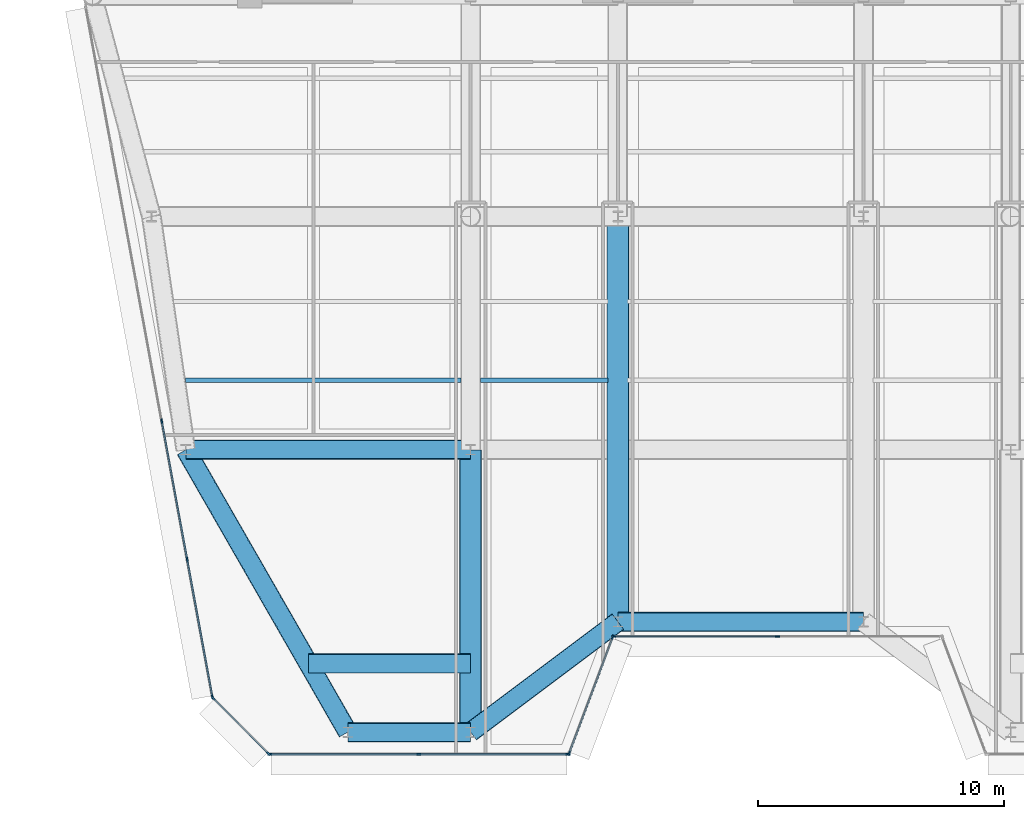
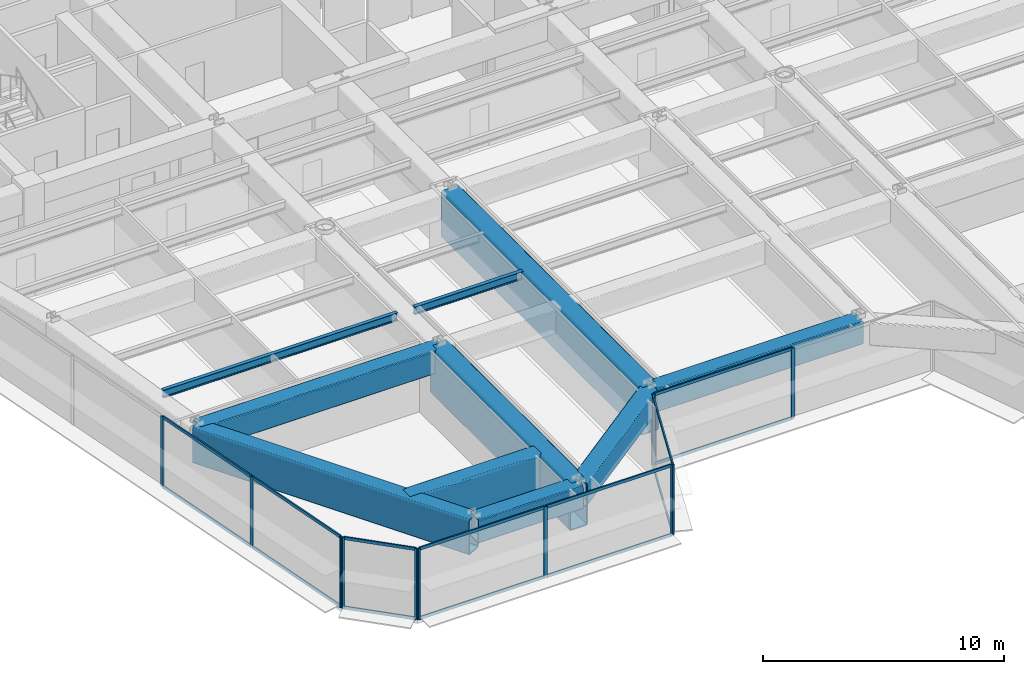
# One storey, part 2 of 16: 26 members, 10 beams, 5 elements without a shape of their own.
"""IFC4 building model written with IfcOpenShell, lengths in metres."""

from ifc_helpers import new_model, si_unit, direction, frame, origin, origin_2d, place, context, subcontext, project, spatial, rectangle, hollow_rectangle, i_section, extrude, source, transform, mapped, material, layer, layer_set, material_profile, profile_set, type_object, element, aggregate, save


model = new_model("IFC4")

# Units and contexts
model_context = context("Model", 3, precision=1e-05, world=origin(), true_north=direction((0.0, 1.0)))
body_context = subcontext(model_context, "Body", "Model", "MODEL_VIEW")
ifc_project = project(units=[si_unit("LENGTHUNIT", "METRE"), si_unit("AREAUNIT", "SQUARE_METRE"), si_unit("VOLUMEUNIT", "CUBIC_METRE"), si_unit("PLANEANGLEUNIT", "RADIAN"), si_unit("MASSUNIT", "GRAM", prefix="KILO")], contexts=[model_context])

# Site, building, storey
site_placement = place(None, origin())
site = spatial("IfcSite", under=ifc_project, at=site_placement, CompositionType="ELEMENT")
building_placement = place(site_placement, origin())
building = spatial("IfcBuilding", under=site, at=building_placement, Name="Vaeldorn Concourse Tower", CompositionType="ELEMENT")
storey_placement = place(building_placement, frame((0.0, 0.0, 203.199951171875)))
storey = spatial("IfcBuildingStorey", under=building, at=storey_placement, Name="L52", CompositionType="ELEMENT", Elevation=203.199951171875)

# Beams
ifc_material_1 = material(Name="Steel S460", Category="steel")
ifc_material_profile_1 = material_profile(ifc_material_1, hollow_rectangle(XDim=0.800048828125, YDim=1.199951171875, WallThickness=0.044921875, InnerFilletRadius=0.044921875, OuterFilletRadius=0.090087890625, at=origin_2d()), Name="RHS 1200x800x45")
ifc_profile_set_1 = profile_set([ifc_material_profile_1], Name="Steel S460")
beam_type_1 = type_object("IfcBeamType", Name="BM-TG-RHS1200", PredefinedType="BEAM", material=ifc_profile_set_1)
shared_shape_1 = source(origin(), body_context, "Body", "SweptSolid", [
    extrude(hollow_rectangle(XDim=0.800048828125, YDim=1.199951171875, WallThickness=0.044921875, InnerFilletRadius=0.044921875, OuterFilletRadius=0.090087890625, at=origin_2d()), origin(), (0.0, 0.0, 1.0), 10.0),
])
beam_1_placement = place(storey_placement, frame((29.0, 11.0, 2.97998046875), z_axis=(1.0, 0.0, 0.0), x_axis=(0.0, 1.0, 0.0)))
element("IfcBeam", 1, at=beam_1_placement, inside=storey, type_object=beam_type_1, Name="Beam BM-L52-C-SF3-C-SF4", PredefinedType="BEAM", context=body_context, shape_type="MappedRepresentation", body=[
    mapped(shared_shape_1, transform((0.0, 0.0, 0.0), scale=1.0)),
])
shared_shape_2 = source(origin(), body_context, "Body", "SweptSolid", [
    extrude(hollow_rectangle(XDim=0.800048828125, YDim=1.199951171875, WallThickness=0.044921875, InnerFilletRadius=0.044921875, OuterFilletRadius=0.090087890625, at=origin_2d()), origin(), (0.0, 0.0, 1.0), 11.60009765625),
])
beam_2_placement = place(storey_placement, frame((11.39990234375, 18.0, 2.97998046875), z_axis=(1.0, 0.0, 0.0), x_axis=(0.0, 1.0, 0.0)))
element("IfcBeam", 2, at=beam_2_placement, inside=storey, type_object=beam_type_1, Name="Beam BM-L52-C-FLW2-C-TW5", PredefinedType="BEAM", context=body_context, shape_type="MappedRepresentation", body=[
    mapped(shared_shape_2, transform((0.0, 0.0, 0.0), scale=1.0)),
])
shared_shape_3 = source(origin(), body_context, "Body", "SweptSolid", [
    extrude(hollow_rectangle(XDim=0.800048828125, YDim=1.199951171875, WallThickness=0.044921875, InnerFilletRadius=0.044921875, OuterFilletRadius=0.090087890625, at=origin_2d()), origin(), (0.0, 0.0, 1.0), 5.0),
])
beam_3_placement = place(storey_placement, frame((18.0, 6.5, 2.97998046875), z_axis=(1.0, 0.0, 0.0), x_axis=(0.0, 1.0, 0.0)))
element("IfcBeam", 3, at=beam_3_placement, inside=storey, type_object=beam_type_1, Name="Beam BM-L52-C-SF1-C-SF2", PredefinedType="BEAM", context=body_context, shape_type="MappedRepresentation", body=[
    mapped(shared_shape_3, transform((0.0, 0.0, 0.0), scale=1.0)),
])
shared_shape_4 = source(origin(), body_context, "Body", "SweptSolid", [
    extrude(hollow_rectangle(XDim=0.800048828125, YDim=1.199951171875, WallThickness=0.044921875, InnerFilletRadius=0.044921875, OuterFilletRadius=0.090087890625, at=origin_2d()), origin(), (0.0, 0.0, 1.0), 7.5),
])
beam_4_placement = place(storey_placement, frame((23.0, 6.5, 2.97998046875), z_axis=(0.8, 0.6, 0.0), x_axis=(-0.6, 0.8, 0.0)))
element("IfcBeam", 4, at=beam_4_placement, inside=storey, type_object=beam_type_1, Name="Beam BM-L52-C-SF2-C-SF3", PredefinedType="BEAM", context=body_context, shape_type="MappedRepresentation", body=[
    mapped(shared_shape_4, transform((0.0, 0.0, 0.0), scale=1.0)),
])
ifc_material_profile_2 = material_profile(ifc_material_1, hollow_rectangle(XDim=0.89990234375, YDim=2.39990234375, WallThickness=0.06005859375, InnerFilletRadius=0.06005859375, OuterFilletRadius=0.1201171875, at=origin_2d()), Name="RHS 2400x900x60")
ifc_profile_set_2 = profile_set([ifc_material_profile_2], Name="Steel S460")
beam_type_2 = type_object("IfcBeamType", Name="BM-TG-BOX2400", PredefinedType="BEAM", material=ifc_profile_set_2)
shared_shape_5 = source(origin(), body_context, "Body", "SweptSolid", [
    extrude(hollow_rectangle(XDim=0.89990234375, YDim=2.39990234375, WallThickness=0.06005859375, InnerFilletRadius=0.06005859375, OuterFilletRadius=0.1201171875, at=origin_2d()), origin(), (0.0, 0.0, 1.0), 11.5),
])
beam_5_placement = place(storey_placement, frame((23.0, 6.5, 2.380126953125), z_axis=(0.0, 1.0, 0.0), x_axis=(-1.0, 0.0, 0.0)))
element("IfcBeam", 5, at=beam_5_placement, inside=storey, type_object=beam_type_2, Name="Beam BM-SETBACK-L52-C-SF2", PredefinedType="BEAM", context=body_context, shape_type="MappedRepresentation", body=[
    mapped(shared_shape_5, transform((0.0, 0.0, 0.0), scale=1.0)),
])
shared_shape_6 = source(origin(), body_context, "Body", "SweptSolid", [
    extrude(hollow_rectangle(XDim=0.89990234375, YDim=2.39990234375, WallThickness=0.06005859375, InnerFilletRadius=0.06005859375, OuterFilletRadius=0.1201171875, at=origin_2d()), origin(), (0.0, 0.0, 1.0), 16.5),
])
beam_6_placement = place(storey_placement, frame((29.0, 11.0, 2.380126953125), z_axis=(0.0, 1.0, 0.0), x_axis=(-1.0, 0.0, 0.0)))
element("IfcBeam", 6, at=beam_6_placement, inside=storey, type_object=beam_type_2, Name="Beam BM-SETBACK-L52-C-SF3", PredefinedType="BEAM", context=body_context, shape_type="MappedRepresentation", body=[
    mapped(shared_shape_6, transform((0.0, 0.0, 0.0), scale=1.0)),
])
ifc_material_profile_3 = material_profile(ifc_material_1, hollow_rectangle(XDim=0.800048828125, YDim=1.800048828125, WallThickness=0.050048828125, InnerFilletRadius=0.050048828125, OuterFilletRadius=0.10009765625, at=origin_2d()), Name="RHS 1800x800x50")
ifc_profile_set_3 = profile_set([ifc_material_profile_3], Name="Steel S460")
beam_type_3 = type_object("IfcBeamType", Name="BM-TG-BOX1800", PredefinedType="BEAM", material=ifc_profile_set_3)
shared_shape_7 = source(origin(), body_context, "Body", "SweptSolid", [
    extrude(hollow_rectangle(XDim=0.800048828125, YDim=1.800048828125, WallThickness=0.050048828125, InnerFilletRadius=0.050048828125, OuterFilletRadius=0.10009765625, at=origin_2d()), origin(), (0.0, 0.0, 1.0), 13.25927734375),
])
beam_7_placement = place(storey_placement, frame((18.0, 6.5, 2.679931640625), z_axis=(-0.497768009943, 0.867310214558, 0.0), x_axis=(-0.867310214558, -0.497768009943, 0.0)))
element("IfcBeam", 7, at=beam_7_placement, inside=storey, type_object=beam_type_3, Name="Beam BM-SETBACK-FL-L52-C-SF1", PredefinedType="BEAM", context=body_context, shape_type="MappedRepresentation", body=[
    mapped(shared_shape_7, transform((0.0, 0.0, 0.0), scale=1.0)),
])
shared_shape_8 = source(origin(), body_context, "Body", "SweptSolid", [
    extrude(hollow_rectangle(XDim=0.800048828125, YDim=1.800048828125, WallThickness=0.050048828125, InnerFilletRadius=0.050048828125, OuterFilletRadius=0.10009765625, at=origin_2d()), origin(), (0.0, 0.0, 1.0), 6.60693359375),
])
beam_8_placement = place(storey_placement, frame((16.39306640625, 9.300048828125, 2.679931640625), z_axis=(1.0, 0.0, 0.0), x_axis=(0.0, 1.0, 0.0)))
element("IfcBeam", 8, at=beam_8_placement, inside=storey, type_object=beam_type_3, Name="Beam BM-SETBACK-EW-L52-C-SF1", PredefinedType="BEAM", context=body_context, shape_type="MappedRepresentation", body=[
    mapped(shared_shape_8, transform((0.0, 0.0, 0.0), scale=1.0)),
])
ifc_material_2 = material(Name="Steel S355", Category="steel")
ifc_material_profile_4 = material_profile(ifc_material_2, i_section(OverallWidth=0.179931640625, OverallDepth=0.39990234375, WebThickness=0.008544921875, FlangeThickness=0.013427734375, FilletRadius=0.02099609375, at=origin_2d()), Name="IPE 400")
ifc_profile_set_4 = profile_set([ifc_material_profile_4], Name="Steel S355")
beam_type_4 = type_object("IfcBeamType", Name="BM-JS-IPE400", PredefinedType="JOIST", material=ifc_profile_set_4)
shared_shape_9 = source(origin(), body_context, "Body", "SweptSolid", [
    extrude(i_section(OverallWidth=0.179931640625, OverallDepth=0.39990234375, WebThickness=0.008544921875, FlangeThickness=0.013427734375, FilletRadius=0.02099609375, at=origin_2d()), origin(), (0.0, 0.0, 1.0), 11.218505859375),
])
beam_9_placement = place(storey_placement, frame((11.381591796875, 20.840087890625, 3.380126953125), z_axis=(1.0, 0.0, 0.0), x_axis=(0.0, 1.0, 0.0)))
element("IfcBeam", 9, at=beam_9_placement, inside=storey, type_object=beam_type_4, Name="Beam JS-L52-W1-208", PredefinedType="JOIST", context=body_context, shape_type="MappedRepresentation", body=[
    mapped(shared_shape_9, transform((0.0, 0.0, 0.0), scale=1.0)),
])
shared_shape_10 = source(origin(), body_context, "Body", "SweptSolid", [
    extrude(i_section(OverallWidth=0.179931640625, OverallDepth=0.39990234375, WebThickness=0.008544921875, FlangeThickness=0.013427734375, FilletRadius=0.02099609375, at=origin_2d()), origin(), (0.0, 0.0, 1.0), 5.2001953125),
])
beam_10_placement = place(storey_placement, frame((23.39990234375, 20.840087890625, 3.380126953125), z_axis=(1.0, 0.0, 0.0), x_axis=(0.0, 1.0, 0.0)))
element("IfcBeam", 10, at=beam_10_placement, inside=storey, type_object=beam_type_4, Name="Beam JS-L52-W2-208", PredefinedType="JOIST", context=body_context, shape_type="MappedRepresentation", body=[
    mapped(shared_shape_10, transform((0.0, 0.0, 0.0), scale=1.0)),
])

# Curtain wall, members
ifc_material_3 = material(Name="Anodised Bronze Aluminium", Category="aluminium")
ifc_layer = layer(ifc_material_3, 0.18994140625)
ifc_layer_set = layer_set([ifc_layer], Name="Anodised Bronze Aluminium")
curtain_wall_type = type_object("IfcCurtainWallType", Name="CW-SYS-03", PredefinedType="NOTDEFINED", material=ifc_layer_set)
curtain_wall_1_placement = place(storey_placement, origin())
curtain_wall_1 = element("IfcCurtainWall", 11, at=curtain_wall_1_placement, inside=storey, type_object=curtain_wall_type, Name="Unitised Curtain Wall CW-L52-E02-1", PredefinedType="NOTDEFINED")
ifc_material_profile_5 = material_profile(ifc_material_3, rectangle(XDim=0.06494140625, YDim=0.14990234375, at=origin_2d()), Name="CWT 65x150")
ifc_profile_set_5 = profile_set([ifc_material_profile_5], Name="Anodised Bronze Aluminium")
member_type_1 = type_object("IfcMemberType", Name="CWT-BRONZE-150", PredefinedType="USERDEFINED", material=ifc_profile_set_5)
shared_shape_11 = source(origin(), body_context, "Body", "SweptSolid", [
    extrude(rectangle(XDim=0.06494140625, YDim=0.14990234375, at=origin_2d()), origin(), (0.0, 0.0, 1.0), 4.996337890625),
])
member_1_placement = place(storey_placement, frame((27.022705078125, 5.660888671875, 0.032470703125), z_axis=(0.351134151405, 0.936325161318, 0.0), x_axis=(-0.936325161318, 0.351134151405, 0.0)))
member_1 = element("IfcMember", 12, at=member_1_placement, type_object=member_type_1, Name="CW-03 transom 1.1", ObjectType="TRANSOM", PredefinedType="USERDEFINED", context=body_context, shape_type="MappedRepresentation", body=[
    mapped(shared_shape_11, transform((0.0, 0.0, 0.0), scale=1.0)),
])
member_2_placement = place(storey_placement, frame((27.022705078125, 5.660888671875, 3.547607421875), z_axis=(0.351134151405, 0.936325161318, 0.0), x_axis=(-0.936325161318, 0.351134151405, 0.0)))
member_2 = element("IfcMember", 13, at=member_2_placement, type_object=member_type_1, Name="CW-03 transom 1.2", ObjectType="TRANSOM", PredefinedType="USERDEFINED", context=body_context, shape_type="MappedRepresentation", body=[
    mapped(shared_shape_11, transform((0.0, 0.0, 0.0), scale=1.0)),
])

curtain_wall_2_placement = place(storey_placement, origin())
curtain_wall_2 = element("IfcCurtainWall", 14, at=curtain_wall_2_placement, inside=storey, type_object=curtain_wall_type, Name="Unitised Curtain Wall CW-L52-E03-1", PredefinedType="NOTDEFINED")
shared_shape_12 = source(origin(), body_context, "Body", "SweptSolid", [
    extrude(rectangle(XDim=0.06494140625, YDim=0.14990234375, at=origin_2d()), origin(), (0.0, 0.0, 1.0), 6.6025390625),
])
member_3_placement = place(storey_placement, frame((28.864990234375, 10.39990234375, 0.032470703125), z_axis=(1.0, 0.0, 0.0), x_axis=(0.0, 1.0, 0.0)))
member_3 = element("IfcMember", 15, at=member_3_placement, type_object=member_type_1, Name="CW-03 transom 1.1", ObjectType="TRANSOM", PredefinedType="USERDEFINED", context=body_context, shape_type="MappedRepresentation", body=[
    mapped(shared_shape_12, transform((0.0, 0.0, 0.0), scale=1.0)),
])
member_4_placement = place(storey_placement, frame((28.864990234375, 10.39990234375, 3.547607421875), z_axis=(1.0, 0.0, 0.0), x_axis=(0.0, 1.0, 0.0)))
member_4 = element("IfcMember", 16, at=member_4_placement, type_object=member_type_1, Name="CW-03 transom 1.2", ObjectType="TRANSOM", PredefinedType="USERDEFINED", context=body_context, shape_type="MappedRepresentation", body=[
    mapped(shared_shape_12, transform((0.0, 0.0, 0.0), scale=1.0)),
])

curtain_wall_3_placement = place(storey_placement, origin())
curtain_wall_3 = element("IfcCurtainWall", 17, at=curtain_wall_3_placement, inside=storey, type_object=curtain_wall_type, Name="Unitised Curtain Wall CW-L52-E01-1", PredefinedType="NOTDEFINED")
ifc_material_profile_6 = material_profile(ifc_material_3, rectangle(XDim=0.06494140625, YDim=0.169921875, at=origin_2d()), Name="CWM 65x170")
ifc_profile_set_6 = profile_set([ifc_material_profile_6], Name="Anodised Bronze Aluminium")
member_type_2 = type_object("IfcMemberType", Name="CWM-BRONZE-170", PredefinedType="MULLION", material=ifc_profile_set_6)
shared_shape_13 = source(origin(), body_context, "Body", "SweptSolid", [
    extrude(rectangle(XDim=0.06494140625, YDim=0.169921875, at=origin_2d()), origin(), (0.0, 0.0, 1.0), 3.580078125),
])
member_5_placement = place(storey_placement, frame((14.823486328125, 5.60009765625, 0.0), z_axis=(0.0, 0.0, 1.0), x_axis=(0.0, 1.0, 0.0)))
member_5 = element("IfcMember", 18, at=member_5_placement, type_object=member_type_2, Name="CW-03 mullion 1", PredefinedType="MULLION", context=body_context, shape_type="MappedRepresentation", body=[
    mapped(shared_shape_13, transform((0.0, 0.0, 0.0), scale=1.0)),
])
member_6_placement = place(storey_placement, frame((20.8955078125, 5.60009765625, 0.0), z_axis=(0.0, 0.0, 1.0), x_axis=(0.0, 1.0, 0.0)))
member_6 = element("IfcMember", 19, at=member_6_placement, type_object=member_type_2, Name="CW-03 mullion 2", PredefinedType="MULLION", context=body_context, shape_type="MappedRepresentation", body=[
    mapped(shared_shape_13, transform((0.0, 0.0, 0.0), scale=1.0)),
])
member_7_placement = place(storey_placement, frame((26.967529296875, 5.60009765625, 0.0), z_axis=(0.0, 0.0, 1.0), x_axis=(0.0, 1.0, 0.0)))
member_7 = element("IfcMember", 20, at=member_7_placement, type_object=member_type_2, Name="CW-03 mullion 3", PredefinedType="MULLION", context=body_context, shape_type="MappedRepresentation", body=[
    mapped(shared_shape_13, transform((0.0, 0.0, 0.0), scale=1.0)),
])

# Member
member_8_placement = place(storey_placement, frame((27.011474609375, 5.63037109375, 0.0), z_axis=(0.0, 0.0, 1.0), x_axis=(-0.936329177566, 0.351123441595, 0.0)))
member_8 = element("IfcMember", 21, at=member_8_placement, type_object=member_type_2, Name="CW-03 mullion 1", PredefinedType="MULLION", context=body_context, shape_type="MappedRepresentation", body=[
    mapped(shared_shape_13, transform((0.0, 0.0, 0.0), scale=1.0)),
])

member_9_placement = place(storey_placement, frame((28.78857421875, 10.36962890625, 0.0), z_axis=(0.0, 0.0, 1.0), x_axis=(-0.936329177566, 0.351123441595, 0.0)))
member_9 = element("IfcMember", 22, at=member_9_placement, type_object=member_type_2, Name="CW-03 mullion 2", PredefinedType="MULLION", context=body_context, shape_type="MappedRepresentation", body=[
    mapped(shared_shape_13, transform((0.0, 0.0, 0.0), scale=1.0)),
])

aggregate(curtain_wall_1, [member_8, member_9, member_1, member_2])

member_10_placement = place(storey_placement, frame((28.83251953125, 10.39990234375, 0.0), z_axis=(0.0, 0.0, 1.0), x_axis=(0.0, 1.0, 0.0)))
member_10 = element("IfcMember", 23, at=member_10_placement, type_object=member_type_2, Name="CW-03 mullion 1", PredefinedType="MULLION", context=body_context, shape_type="MappedRepresentation", body=[
    mapped(shared_shape_13, transform((0.0, 0.0, 0.0), scale=1.0)),
])

member_11_placement = place(storey_placement, frame((35.5, 10.39990234375, 0.0), z_axis=(0.0, 0.0, 1.0), x_axis=(0.0, 1.0, 0.0)))
member_11 = element("IfcMember", 24, at=member_11_placement, type_object=member_type_2, Name="CW-03 mullion 2", PredefinedType="MULLION", context=body_context, shape_type="MappedRepresentation", body=[
    mapped(shared_shape_13, transform((0.0, 0.0, 0.0), scale=1.0)),
])

aggregate(curtain_wall_2, [member_10, member_11, member_3, member_4])

# Curtain wall, members
curtain_wall_4_placement = place(storey_placement, origin())
curtain_wall_4 = element("IfcCurtainWall", 25, at=curtain_wall_4_placement, inside=storey, type_object=curtain_wall_type, Name="Unitised Curtain Wall CW-L52-E11-2", PredefinedType="NOTDEFINED")
member_12_placement = place(storey_placement, frame((10.421142578125, 19.17333984375, 0.0), z_axis=(0.0, 0.0, 1.0), x_axis=(0.983559325018, 0.180585309951, 0.0)))
member_12 = element("IfcMember", 26, at=member_12_placement, type_object=member_type_2, Name="CW-03 mullion 4", PredefinedType="MULLION", context=body_context, shape_type="MappedRepresentation", body=[
    mapped(shared_shape_13, transform((0.0, 0.0, 0.0), scale=1.0)),
])
member_13_placement = place(storey_placement, frame((11.4560546875, 13.53662109375, 0.0), z_axis=(0.0, 0.0, 1.0), x_axis=(0.983559325018, 0.180585309951, 0.0)))
member_13 = element("IfcMember", 27, at=member_13_placement, type_object=member_type_2, Name="CW-03 mullion 5", PredefinedType="MULLION", context=body_context, shape_type="MappedRepresentation", body=[
    mapped(shared_shape_13, transform((0.0, 0.0, 0.0), scale=1.0)),
])
member_14_placement = place(storey_placement, frame((12.485107421875, 7.931884765625, 0.0), z_axis=(0.0, 0.0, 1.0), x_axis=(0.983559325018, 0.180585309951, 0.0)))
member_14 = element("IfcMember", 28, at=member_14_placement, type_object=member_type_2, Name="CW-03 mullion 6", PredefinedType="MULLION", context=body_context, shape_type="MappedRepresentation", body=[
    mapped(shared_shape_13, transform((0.0, 0.0, 0.0), scale=1.0)),
])

curtain_wall_5_placement = place(storey_placement, origin())
curtain_wall_5 = element("IfcCurtainWall", 29, at=curtain_wall_5_placement, inside=storey, type_object=curtain_wall_type, Name="Unitised Curtain Wall CW-L52-E12-1", PredefinedType="NOTDEFINED")
member_15_placement = place(storey_placement, frame((12.513916015625, 7.876953125, 0.0), z_axis=(0.0, 0.0, 1.0), x_axis=(0.707106781187, 0.707106781187, 0.0)))
member_15 = element("IfcMember", 30, at=member_15_placement, type_object=member_type_2, Name="CW-03 mullion 1", PredefinedType="MULLION", context=body_context, shape_type="MappedRepresentation", body=[
    mapped(shared_shape_13, transform((0.0, 0.0, 0.0), scale=1.0)),
])
member_16_placement = place(storey_placement, frame((14.76806640625, 5.623046875, 0.0), z_axis=(0.0, 0.0, 1.0), x_axis=(0.707106781187, 0.707106781187, 0.0)))
member_16 = element("IfcMember", 31, at=member_16_placement, type_object=member_type_2, Name="CW-03 mullion 2", PredefinedType="MULLION", context=body_context, shape_type="MappedRepresentation", body=[
    mapped(shared_shape_13, transform((0.0, 0.0, 0.0), scale=1.0)),
])
shared_shape_14 = source(origin(), body_context, "Body", "SweptSolid", [
    extrude(rectangle(XDim=0.06494140625, YDim=0.14990234375, at=origin_2d()), origin(), (0.0, 0.0, 1.0), 3.122802734375),
])
member_17_placement = place(storey_placement, frame((12.536865234375, 7.85400390625, 0.032470703125), z_axis=(0.707145870536, -0.707067689676, 0.0), x_axis=(0.707067689676, 0.707145870536, 0.0)))
member_17 = element("IfcMember", 32, at=member_17_placement, type_object=member_type_1, Name="CW-03 transom 1.1", ObjectType="TRANSOM", PredefinedType="USERDEFINED", context=body_context, shape_type="MappedRepresentation", body=[
    mapped(shared_shape_14, transform((0.0, 0.0, 0.0), scale=1.0)),
])
member_18_placement = place(storey_placement, frame((12.536865234375, 7.85400390625, 3.547607421875), z_axis=(0.707145870536, -0.707067689676, 0.0), x_axis=(0.707067689676, 0.707145870536, 0.0)))
member_18 = element("IfcMember", 33, at=member_18_placement, type_object=member_type_1, Name="CW-03 transom 1.2", ObjectType="TRANSOM", PredefinedType="USERDEFINED", context=body_context, shape_type="MappedRepresentation", body=[
    mapped(shared_shape_14, transform((0.0, 0.0, 0.0), scale=1.0)),
])
aggregate(curtain_wall_5, [member_15, member_16, member_17, member_18])

# Member
shared_shape_15 = source(origin(), body_context, "Body", "SweptSolid", [
    extrude(rectangle(XDim=0.06494140625, YDim=0.14990234375, at=origin_2d()), origin(), (0.0, 0.0, 1.0), 5.63330078125),
])
member_19_placement = place(storey_placement, frame((11.4619140625, 13.504638671875, 0.032470703125), z_axis=(0.180589917692, -0.983558479008, 0.0), x_axis=(0.983558479008, 0.180589917692, 0.0)))
member_19 = element("IfcMember", 34, at=member_19_placement, type_object=member_type_1, Name="CW-03 transom 5.1", ObjectType="TRANSOM", PredefinedType="USERDEFINED", context=body_context, shape_type="MappedRepresentation", body=[
    mapped(shared_shape_15, transform((0.0, 0.0, 0.0), scale=1.0)),
])

member_20_placement = place(storey_placement, frame((11.4619140625, 13.504638671875, 3.547607421875), z_axis=(0.180589917692, -0.983558479008, 0.0), x_axis=(0.983558479008, 0.180589917692, 0.0)))
member_20 = element("IfcMember", 35, at=member_20_placement, type_object=member_type_1, Name="CW-03 transom 5.2", ObjectType="TRANSOM", PredefinedType="USERDEFINED", context=body_context, shape_type="MappedRepresentation", body=[
    mapped(shared_shape_15, transform((0.0, 0.0, 0.0), scale=1.0)),
])

shared_shape_16 = source(origin(), body_context, "Body", "SweptSolid", [
    extrude(rectangle(XDim=0.06494140625, YDim=0.14990234375, at=origin_2d()), origin(), (0.0, 0.0, 1.0), 5.666015625),
])
member_21_placement = place(storey_placement, frame((10.427001953125, 19.141357421875, 0.032470703125), z_axis=(0.180587719149, -0.983558882677, 0.0), x_axis=(0.983558882677, 0.180587719149, 0.0)))
member_21 = element("IfcMember", 36, at=member_21_placement, type_object=member_type_1, Name="CW-03 transom 4.1", ObjectType="TRANSOM", PredefinedType="USERDEFINED", context=body_context, shape_type="MappedRepresentation", body=[
    mapped(shared_shape_16, transform((0.0, 0.0, 0.0), scale=1.0)),
])

member_22_placement = place(storey_placement, frame((10.427001953125, 19.141357421875, 3.547607421875), z_axis=(0.180587719149, -0.983558882677, 0.0), x_axis=(0.983558882677, 0.180587719149, 0.0)))
member_22 = element("IfcMember", 37, at=member_22_placement, type_object=member_type_1, Name="CW-03 transom 4.2", ObjectType="TRANSOM", PredefinedType="USERDEFINED", context=body_context, shape_type="MappedRepresentation", body=[
    mapped(shared_shape_16, transform((0.0, 0.0, 0.0), scale=1.0)),
])

aggregate(curtain_wall_4, [member_12, member_13, member_14, member_21, member_22, member_19, member_20])

shared_shape_17 = source(origin(), body_context, "Body", "SweptSolid", [
    extrude(rectangle(XDim=0.06494140625, YDim=0.14990234375, at=origin_2d()), origin(), (0.0, 0.0, 1.0), 6.007080078125),
])
member_23_placement = place(storey_placement, frame((14.85595703125, 5.60009765625, 0.032470703125), z_axis=(1.0, 0.0, 0.0), x_axis=(0.0, 1.0, 0.0)))
member_23 = element("IfcMember", 38, at=member_23_placement, type_object=member_type_1, Name="CW-03 transom 1.1", ObjectType="TRANSOM", PredefinedType="USERDEFINED", context=body_context, shape_type="MappedRepresentation", body=[
    mapped(shared_shape_17, transform((0.0, 0.0, 0.0), scale=1.0)),
])

member_24_placement = place(storey_placement, frame((14.85595703125, 5.60009765625, 3.547607421875), z_axis=(1.0, 0.0, 0.0), x_axis=(0.0, 1.0, 0.0)))
member_24 = element("IfcMember", 39, at=member_24_placement, type_object=member_type_1, Name="CW-03 transom 1.2", ObjectType="TRANSOM", PredefinedType="USERDEFINED", context=body_context, shape_type="MappedRepresentation", body=[
    mapped(shared_shape_17, transform((0.0, 0.0, 0.0), scale=1.0)),
])

member_25_placement = place(storey_placement, frame((20.927978515625, 5.60009765625, 0.032470703125), z_axis=(1.0, 0.0, 0.0), x_axis=(0.0, 1.0, 0.0)))
member_25 = element("IfcMember", 40, at=member_25_placement, type_object=member_type_1, Name="CW-03 transom 2.1", ObjectType="TRANSOM", PredefinedType="USERDEFINED", context=body_context, shape_type="MappedRepresentation", body=[
    mapped(shared_shape_17, transform((0.0, 0.0, 0.0), scale=1.0)),
])

member_26_placement = place(storey_placement, frame((20.927978515625, 5.60009765625, 3.547607421875), z_axis=(1.0, 0.0, 0.0), x_axis=(0.0, 1.0, 0.0)))
member_26 = element("IfcMember", 41, at=member_26_placement, type_object=member_type_1, Name="CW-03 transom 2.2", ObjectType="TRANSOM", PredefinedType="USERDEFINED", context=body_context, shape_type="MappedRepresentation", body=[
    mapped(shared_shape_17, transform((0.0, 0.0, 0.0), scale=1.0)),
])

aggregate(curtain_wall_3, [member_5, member_6, member_7, member_23, member_24, member_25, member_26])

save(model, "model.ifc")
